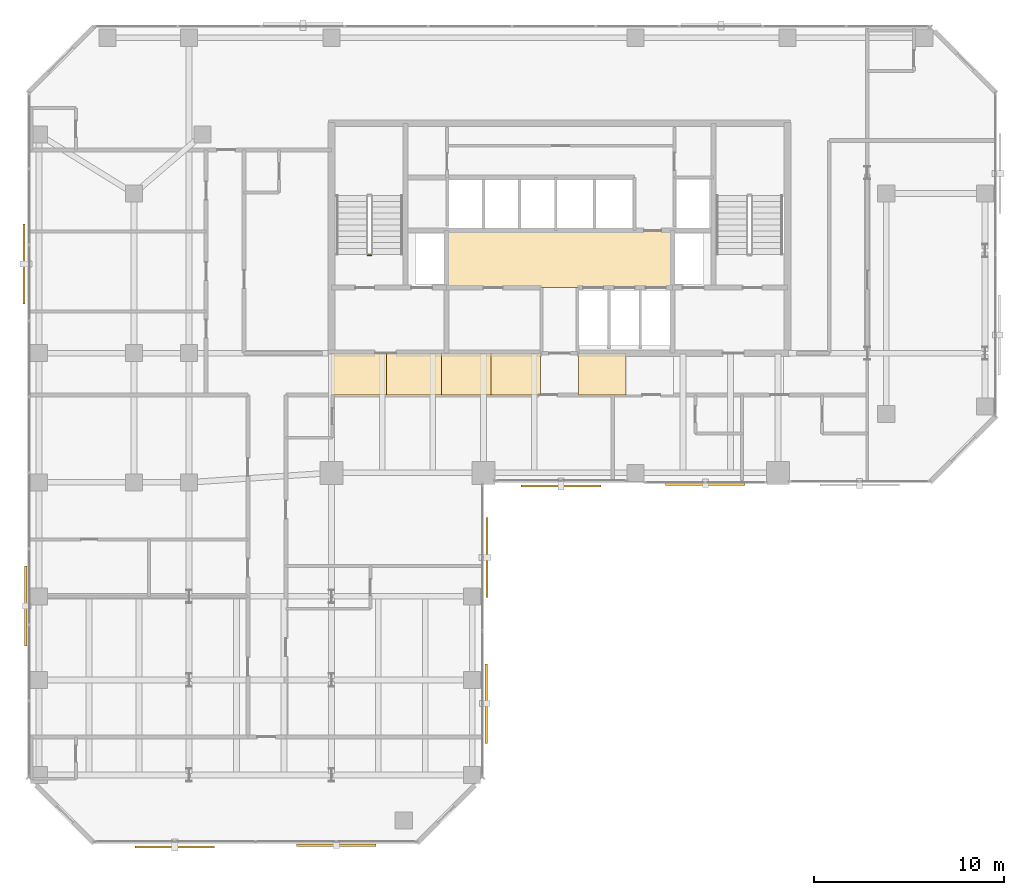
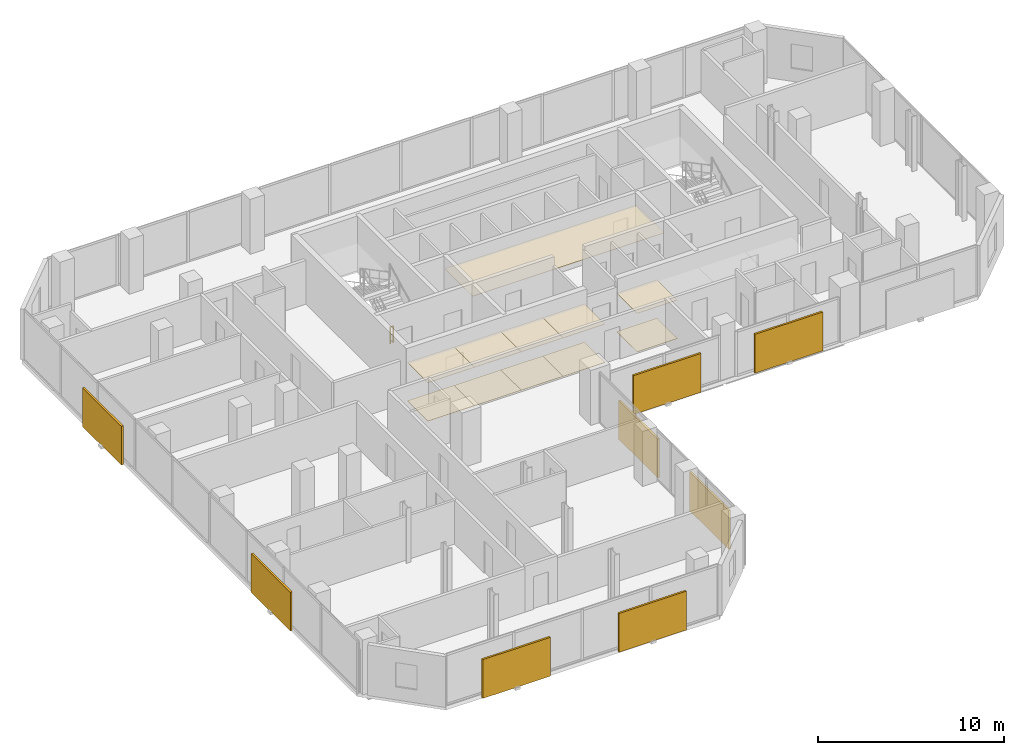
# One storey, part 33 of 34: 11 coverings, 8 shading devices, 1 railing.
"""IFC4 building model written with IfcOpenShell, lengths in metres."""

from ifc_helpers import new_model, si_unit, direction, frame, origin, origin_2d, place, context, subcontext, project, spatial, polyline, rectangle, circle, outline, extrude, material, layer, layer_set, type_object, element, save


model = new_model("IFC4")

# Units and contexts
model_context = context("Model", 3, precision=1e-05, world=origin(), true_north=direction((0.0, 1.0)))
body_context = subcontext(model_context, "Body", "Model", "MODEL_VIEW")
ifc_project = project(units=[si_unit("LENGTHUNIT", "METRE"), si_unit("AREAUNIT", "SQUARE_METRE"), si_unit("VOLUMEUNIT", "CUBIC_METRE"), si_unit("PLANEANGLEUNIT", "RADIAN"), si_unit("MASSUNIT", "GRAM", prefix="KILO")], contexts=[model_context])

# Site, building, storey
site_placement = place(None, origin())
site = spatial("IfcSite", under=ifc_project, at=site_placement, CompositionType="ELEMENT")
building_placement = place(site_placement, origin())
building = spatial("IfcBuilding", under=site, at=building_placement, Name="Catumbela Crestline Tower", CompositionType="ELEMENT")
storey_placement = place(building_placement, frame((0.0, 0.0, 111.6)))
storey = spatial("IfcBuildingStorey", under=building, at=storey_placement, Name="L28", CompositionType="ELEMENT", Elevation=111.6)

# Coverings
ifc_material_1 = material(Name="Mineral-fibre acoustic ceiling")
ifc_layer_1 = layer(ifc_material_1, 0.03, Name="Mineral-fibre acoustic ceiling")
ifc_layer_set_1 = layer_set([ifc_layer_1], Name="Mineral-fibre acoustic ceiling")
covering_type_1 = type_object("IfcCoveringType", Name="CC-AC", PredefinedType="CEILING", material=ifc_layer_set_1)
covering_1_placement = place(storey_placement, frame((0.0, 0.0, 2.65)))
element("IfcCovering", 1, at=covering_1_placement, inside=storey, type_object=covering_type_1, Name="L28 Lift Lobby Acoustic Ceiling", PredefinedType="CEILING", context=body_context, shape_type="SweptSolid", body=[
    extrude(outline(polyline([(22.05, 34.25), (33.95, 34.25), (33.95, 37.25), (22.05, 37.25), (22.05, 34.25)])), origin(), (0.0, 0.0, 1.0), 0.03),
])
covering_2_placement = place(storey_placement, frame((0.0, 0.0, 2.52)))
element("IfcCovering", 2, at=covering_2_placement, inside=storey, type_object=covering_type_1, Name="L28 Corridor Acoustic Ceiling Bay 1", PredefinedType="CEILING", context=body_context, shape_type="SweptSolid", body=[
    extrude(outline(polyline([(16.0, 28.6), (18.9, 28.6), (18.9, 30.8), (16.0, 30.8), (16.0, 28.6)])), origin(), (0.0, 0.0, 1.0), 0.03),
])
covering_3_placement = place(storey_placement, frame((0.0, 0.0, 2.52)))
element("IfcCovering", 3, at=covering_3_placement, inside=storey, type_object=covering_type_1, Name="L28 Corridor Acoustic Ceiling Bay 2", PredefinedType="CEILING", context=body_context, shape_type="SweptSolid", body=[
    extrude(outline(polyline([(18.9, 28.6), (21.8, 28.6), (21.8, 30.8), (18.9, 30.8), (18.9, 28.6)])), origin(), (0.0, 0.0, 1.0), 0.03),
])
covering_4_placement = place(storey_placement, frame((0.0, 0.0, 2.52)))
element("IfcCovering", 4, at=covering_4_placement, inside=storey, type_object=covering_type_1, Name="L28 Corridor Acoustic Ceiling Bay 3", PredefinedType="CEILING", context=body_context, shape_type="SweptSolid", body=[
    extrude(outline(polyline([(21.8, 28.6), (24.4, 28.6), (24.4, 30.8), (21.8, 30.8), (21.8, 28.6)])), origin(), (0.0, 0.0, 1.0), 0.03),
])
covering_5_placement = place(storey_placement, frame((0.0, 0.0, 2.52)))
element("IfcCovering", 5, at=covering_5_placement, inside=storey, type_object=covering_type_1, Name="L28 Corridor Acoustic Ceiling Bay 4", PredefinedType="CEILING", context=body_context, shape_type="SweptSolid", body=[
    extrude(outline(polyline([(24.4, 28.6), (27.0, 28.6), (27.0, 30.8), (24.4, 30.8), (24.4, 28.6)])), origin(), (0.0, 0.0, 1.0), 0.03),
])
covering_6_placement = place(storey_placement, frame((0.0, 0.0, 2.52)))
element("IfcCovering", 6, at=covering_6_placement, inside=storey, type_object=covering_type_1, Name="L28 Corridor Acoustic Ceiling Bay 5", PredefinedType="CEILING", context=body_context, shape_type="SweptSolid", body=[
    extrude(outline(polyline([(29.0, 28.6), (31.5, 28.6), (31.5, 30.8), (29.0, 30.8), (29.0, 28.6)])), origin(), (0.0, 0.0, 1.0), 0.03),
])
ifc_material_2 = material(Name="Angolan grey-ochre granite", Category="masonry")
ifc_layer_2 = layer(ifc_material_2, 0.025, Name="Angolan grey-ochre granite")
ifc_layer_set_2 = layer_set([ifc_layer_2], Name="Angolan grey-ochre granite")
covering_type_2 = type_object("IfcCoveringType", Name="CF-GR", PredefinedType="FLOORING", material=ifc_layer_set_2)
covering_7_placement = place(storey_placement, origin())
element("IfcCovering", 7, at=covering_7_placement, inside=storey, type_object=covering_type_2, Name="L28 Corridor Granite Flooring Bay 1", PredefinedType="FLOORING", context=body_context, shape_type="SweptSolid", body=[
    extrude(outline(polyline([(16.0, 28.6), (18.9, 28.6), (18.9, 30.8), (16.0, 30.8), (16.0, 28.6)])), origin(), (0.0, 0.0, 1.0), 0.025),
])
covering_8_placement = place(storey_placement, origin())
element("IfcCovering", 8, at=covering_8_placement, inside=storey, type_object=covering_type_2, Name="L28 Corridor Granite Flooring Bay 2", PredefinedType="FLOORING", context=body_context, shape_type="SweptSolid", body=[
    extrude(outline(polyline([(18.9, 28.6), (21.8, 28.6), (21.8, 30.8), (18.9, 30.8), (18.9, 28.6)])), origin(), (0.0, 0.0, 1.0), 0.025),
])
covering_9_placement = place(storey_placement, origin())
element("IfcCovering", 9, at=covering_9_placement, inside=storey, type_object=covering_type_2, Name="L28 Corridor Granite Flooring Bay 3", PredefinedType="FLOORING", context=body_context, shape_type="SweptSolid", body=[
    extrude(outline(polyline([(21.8, 28.6), (24.4, 28.6), (24.4, 30.8), (21.8, 30.8), (21.8, 28.6)])), origin(), (0.0, 0.0, 1.0), 0.025),
])
covering_10_placement = place(storey_placement, origin())
element("IfcCovering", 10, at=covering_10_placement, inside=storey, type_object=covering_type_2, Name="L28 Corridor Granite Flooring Bay 4", PredefinedType="FLOORING", context=body_context, shape_type="SweptSolid", body=[
    extrude(outline(polyline([(24.4, 28.6), (27.0, 28.6), (27.0, 30.8), (24.4, 30.8), (24.4, 28.6)])), origin(), (0.0, 0.0, 1.0), 0.025),
])
covering_11_placement = place(storey_placement, origin())
element("IfcCovering", 11, at=covering_11_placement, inside=storey, type_object=covering_type_2, Name="L28 Corridor Granite Flooring Bay 5", PredefinedType="FLOORING", context=body_context, shape_type="SweptSolid", body=[
    extrude(outline(polyline([(29.0, 28.6), (31.5, 28.6), (31.5, 30.8), (29.0, 30.8), (29.0, 28.6)])), origin(), (0.0, 0.0, 1.0), 0.025),
])

# Railing
ifc_material_3 = material(Name="Stainless steel EN 1.4401", Category="steel")
railing_type = type_object("IfcRailingType", Name="RG-1100", PredefinedType="GUARDRAIL", material=ifc_material_3)
railing_placement = place(storey_placement, frame((18.09, 35.95, 0.0)))
element("IfcRailing", 12, at=railing_placement, inside=storey, type_object=railing_type, Name="L28 ST-01 stair guard 4", PredefinedType="GUARDRAIL", context=body_context, shape_type="SweptSolid", body=[
    extrude(circle(Radius=0.024, at=origin_2d()), frame((0.0, 0.0, 1.076), z_axis=(-1.0, 0.0, 0.0), x_axis=(0.0, -1.0, 0.0)), (0.0, 0.0, 1.0), 0.18),
    extrude(circle(Radius=0.0156, at=origin_2d()), frame((0.0, 0.0, 0.55), z_axis=(-1.0, 0.0, 0.0), x_axis=(0.0, -1.0, 0.0)), (0.0, 0.0, 1.0), 0.18),
    extrude(circle(Radius=0.0156, at=origin_2d()), frame((0.0, 0.0, 0.12), z_axis=(-1.0, 0.0, 0.0), x_axis=(0.0, -1.0, 0.0)), (0.0, 0.0, 1.0), 0.18),
    extrude(circle(Radius=0.021, at=origin_2d()), origin(), (0.0, 0.0, 1.0), 1.052),
    extrude(circle(Radius=0.021, at=origin_2d()), frame((-0.18, 0.0, 0.0)), (0.0, 0.0, 1.0), 1.052),
])

# Shading devices
ifc_material_4 = material(Name="Extruded terracotta ceramic", Category="masonry")
shading_device_type_1 = type_object("IfcShadingDeviceType", Name="ST-180", PredefinedType="USERDEFINED", material=ifc_material_4)
for number, where, z_axis, x_axis, name in (
    (13, (16.25, 4.901, -0.1), (0.0, 0.0, 1.0), (1.0, 0.0, 0.0), "L28 Perforated Terracotta Solar Screen 290 (180 mm)"),
    (14, (35.675, 23.901, -0.1), (0.0, 0.0, 1.0), (1.0, 0.0, 0.0), "L28 Perforated Terracotta Solar Screen 294 (180 mm)"),
    (15, (-0.099, 17.5, -0.1), (0.0, 0.0, 1.0), (0.0, -1.0, 0.0), "L28 Perforated Terracotta Solar Screen 301 (180 mm)"),
):
    element("IfcShadingDevice", number, at=place(storey_placement, frame(where, z_axis=z_axis, x_axis=x_axis)), inside=storey, type_object=shading_device_type_1, Name=name, ObjectType="SCREEN", PredefinedType="USERDEFINED", context=body_context, shape_type="SweptSolid", body=[
        extrude(rectangle(XDim=4.2, YDim=0.12, at=origin_2d()), origin(), (0.0, 0.0, 1.0), 2.55),
    ])
shading_device_type_2 = type_object("IfcShadingDeviceType", Name="ST-260", PredefinedType="USERDEFINED", material=ifc_material_4)
shading_device_placement = place(storey_placement, frame((24.143, 12.35, -0.1), z_axis=(0.0, 0.0, 1.0), x_axis=(0.0, 1.0, 0.0)))
element("IfcShadingDevice", 16, at=shading_device_placement, inside=storey, type_object=shading_device_type_2, Name="L28 Perforated Terracotta Solar Screen 291 (260 mm)", ObjectType="SCREEN", PredefinedType="USERDEFINED", context=body_context, shape_type="SweptSolid", body=[
    extrude(rectangle(XDim=4.2, YDim=0.12, at=origin_2d()), origin(), (0.0, 0.0, 1.0), 2.55),
])
shading_device_type_3 = type_object("IfcShadingDeviceType", Name="ST-340", PredefinedType="USERDEFINED", material=ifc_material_4)
for number, where, z_axis, x_axis, name in (
    (17, (7.75, 4.813, -0.1), (0.0, 0.0, 1.0), (1.0, 0.0, 0.0), "L28 Perforated Terracotta Solar Screen 289 (340 mm)"),
    (18, (24.187, 20.05, -0.1), (0.0, 0.0, 1.0), (0.0, 1.0, 0.0), "L28 Perforated Terracotta Solar Screen 292 (340 mm)"),
    (19, (28.075, 23.813, -0.1), (0.0, 0.0, 1.0), (1.0, 0.0, 0.0), "L28 Perforated Terracotta Solar Screen 293 (340 mm)"),
    (20, (-0.187, 35.5, -0.1), (0.0, 0.0, 1.0), (0.0, -1.0, 0.0), "L28 Perforated Terracotta Solar Screen 300 (340 mm)"),
):
    element("IfcShadingDevice", number, at=place(storey_placement, frame(where, z_axis=z_axis, x_axis=x_axis)), inside=storey, type_object=shading_device_type_3, Name=name, ObjectType="SCREEN", PredefinedType="USERDEFINED", context=body_context, shape_type="SweptSolid", body=[
        extrude(rectangle(XDim=4.2, YDim=0.12, at=origin_2d()), origin(), (0.0, 0.0, 1.0), 2.55),
    ])

save(model, "model.ifc")
